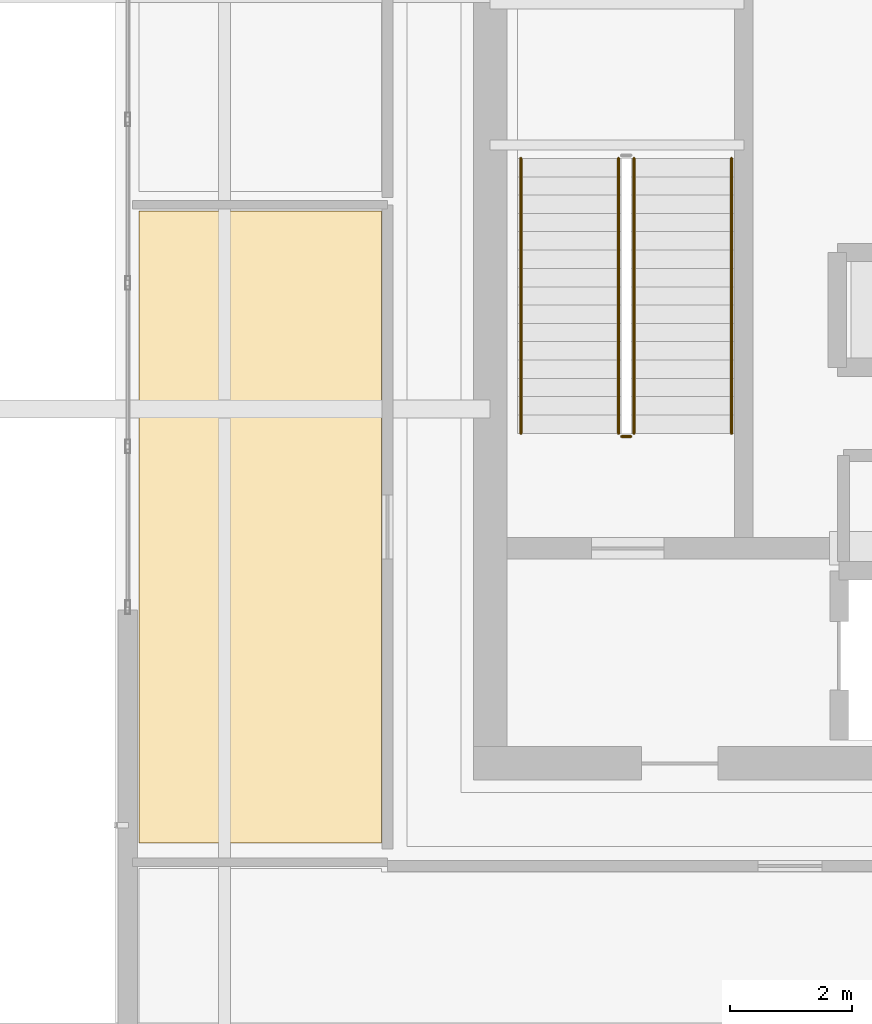
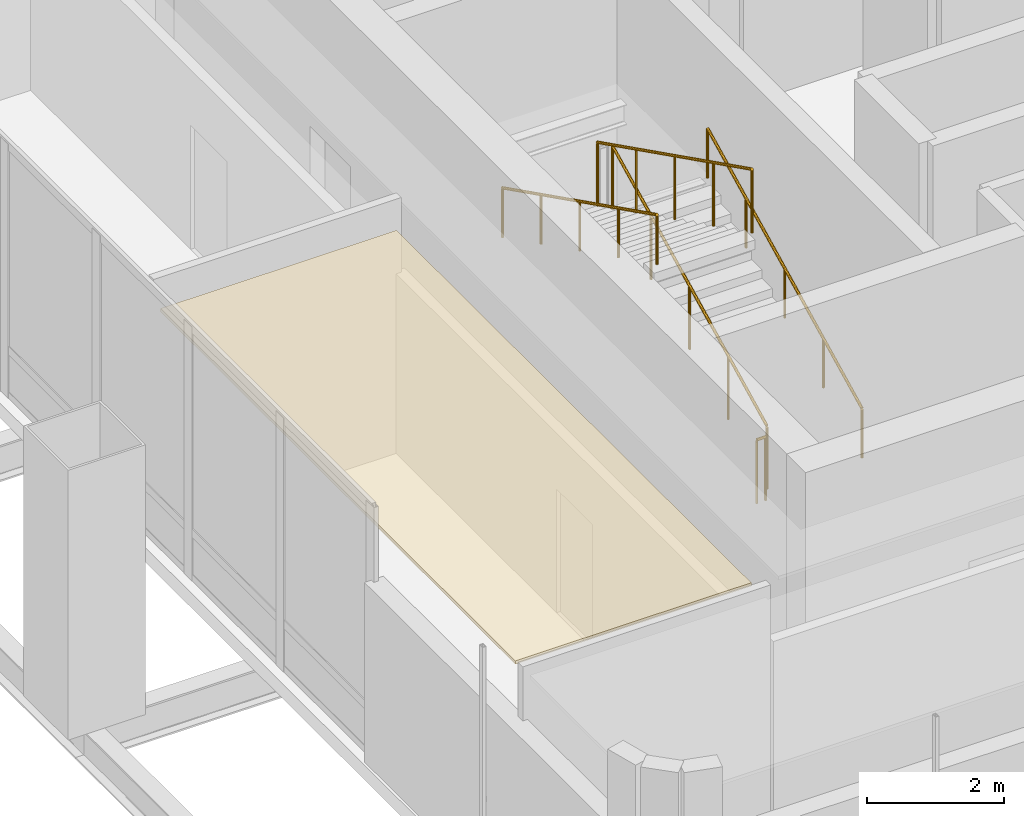
# One storey, part 24 of 33: 5 railings, 1 covering.
"""IFC4 building model written with IfcOpenShell, lengths in metres."""

from ifc_helpers import new_model, si_unit, direction, frame, origin, origin_2d, place, context, subcontext, project, spatial, polyline, circle, outline, extrude, material, layer, layer_set, type_object, element, save


model = new_model("IFC4")

# Units and contexts
model_context = context("Model", 3, precision=1e-05, world=origin(), true_north=direction((0.0, 1.0)))
body_context = subcontext(model_context, "Body", "Model", "MODEL_VIEW")
ifc_project = project(units=[si_unit("LENGTHUNIT", "METRE"), si_unit("AREAUNIT", "SQUARE_METRE"), si_unit("VOLUMEUNIT", "CUBIC_METRE"), si_unit("PLANEANGLEUNIT", "RADIAN"), si_unit("MASSUNIT", "GRAM", prefix="KILO")], contexts=[model_context])

# Site, building, storey
site_placement = place(None, origin())
site = spatial("IfcSite", under=ifc_project, at=site_placement, CompositionType="ELEMENT")
building_placement = place(site_placement, origin())
building = spatial("IfcBuilding", under=site, at=building_placement, Name="Punatoya Terracotta Tower", CompositionType="ELEMENT")
storey_placement = place(building_placement, frame((0.0, 0.0, 246.60009765625)))
storey = spatial("IfcBuildingStorey", under=building, at=storey_placement, Name="L58", CompositionType="ELEMENT", Elevation=246.60009765625)

# Covering
ifc_material_1 = material(Name="Acoustic Mineral Fibre Ceiling")
ifc_layer = layer(ifc_material_1, 0.06005859375)
ifc_layer_set = layer_set([ifc_layer], Name="Acoustic Mineral Fibre Ceiling")
covering_type = type_object("IfcCoveringType", Name="COV-CEIL-60", PredefinedType="CEILING", material=ifc_layer_set)
covering_placement = place(storey_placement, frame((0.0, 0.0, 3.929931640625)))
element("IfcCovering", 1, at=covering_placement, inside=storey, type_object=covering_type, Name="L58 Staff Wellness Studio Acoustic Ceiling", PredefinedType="CEILING", context=body_context, shape_type="SweptSolid", body=[
    extrude(outline(polyline([(-15.949951171875, -0.159912109375), (-15.949951171875, -10.5), (-11.97998046875, -10.5), (-11.97998046875, -0.159912109375), (-15.949951171875, -0.159912109375)])), origin(), (0.0, 0.0, 1.0), 0.06005859375),
])

# Railings
ifc_material_2 = material(Name="Steel S355", Category="steel")
railing_type_1 = type_object("IfcRailingType", Name="RLG-GRD-1150", PredefinedType="GUARDRAIL", material=ifc_material_2)
railing_1_placement = place(storey_placement, frame((-7.85009765625, -3.800048828125, 0.14990234375)))
element("IfcRailing", 2, at=railing_1_placement, inside=storey, type_object=railing_type_1, Name="L58 ST-1 stair guard 1", PredefinedType="GUARDRAIL", context=body_context, shape_type="SweptSolid", body=[
    extrude(circle(Radius=0.02392578125, at=origin_2d()), frame((0.0, 0.0, 1.1259765625), z_axis=(0.0, 0.894427191, 0.4472135955), x_axis=(-1.0, 0.0, 0.0)), (0.0, 0.0, 1.0), 5.03125),
    extrude(circle(Radius=0.02099609375, at=origin_2d()), origin(), (0.0, 0.0, 1.0), 1.101806640625),
    extrude(circle(Radius=0.02099609375, at=origin_2d()), frame((0.0, 1.125, 0.5625)), (0.0, 0.0, 1.0), 1.101806640625),
    extrude(circle(Radius=0.02099609375, at=origin_2d()), frame((0.0, 2.25, 1.125)), (0.0, 0.0, 1.0), 1.101806640625),
    extrude(circle(Radius=0.02099609375, at=origin_2d()), frame((0.0, 3.375, 1.6875)), (0.0, 0.0, 1.0), 1.101806640625),
    extrude(circle(Radius=0.02099609375, at=origin_2d()), frame((0.0, 4.5, 2.25)), (0.0, 0.0, 1.0), 1.101806640625),
])
railing_2_placement = place(storey_placement, frame((-8.10009765625, 0.699951171875, 2.5498046875)))
element("IfcRailing", 3, at=railing_2_placement, inside=storey, type_object=railing_type_1, Name="L58 ST-1 stair guard 3", PredefinedType="GUARDRAIL", context=body_context, shape_type="SweptSolid", body=[
    extrude(circle(Radius=0.02392578125, at=origin_2d()), frame((0.0, 0.0, 1.1259765625), z_axis=(0.0, -0.894427191, 0.4472135955), x_axis=(1.0, 0.0, 0.0)), (0.0, 0.0, 1.0), 5.03125),
    extrude(circle(Radius=0.02099609375, at=origin_2d()), origin(), (0.0, 0.0, 1.0), 1.101806640625),
    extrude(circle(Radius=0.02099609375, at=origin_2d()), frame((0.0, -1.125, 0.5625)), (0.0, 0.0, 1.0), 1.101806640625),
    extrude(circle(Radius=0.02099609375, at=origin_2d()), frame((0.0, -2.25, 1.125)), (0.0, 0.0, 1.0), 1.101806640625),
    extrude(circle(Radius=0.02099609375, at=origin_2d()), frame((0.0, -3.375, 1.6875)), (0.0, 0.0, 1.0), 1.101806640625),
    extrude(circle(Radius=0.02099609375, at=origin_2d()), frame((0.0, -4.5, 2.25)), (0.0, 0.0, 1.0), 1.101806640625),
])
railing_3_placement = place(storey_placement, frame((-7.89990234375, -3.85009765625, 0.0)))
element("IfcRailing", 4, at=railing_3_placement, inside=storey, type_object=railing_type_1, Name="L58 ST-1 stair guard 4", PredefinedType="GUARDRAIL", context=body_context, shape_type="SweptSolid", body=[
    extrude(circle(Radius=0.02392578125, at=origin_2d()), frame((0.0, 0.0, 1.1259765625), z_axis=(-1.0, 0.0, 0.0), x_axis=(0.0, -1.0, 0.0)), (0.0, 0.0, 1.0), 0.150146484375),
    extrude(circle(Radius=0.02099609375, at=origin_2d()), origin(), (0.0, 0.0, 1.0), 1.101806640625),
    extrude(circle(Radius=0.02099609375, at=origin_2d()), frame((-0.150146484375, 0.0, 0.0)), (0.0, 0.0, 1.0), 1.101806640625),
])
railing_type_2 = type_object("IfcRailingType", Name="RLG-HND-900", PredefinedType="HANDRAIL", material=ifc_material_2)
railing_4_placement = place(storey_placement, frame((-6.25, -3.800048828125, 0.14990234375)))
element("IfcRailing", 5, at=railing_4_placement, inside=storey, type_object=railing_type_2, Name="L58 ST-1 stair handrail 1", PredefinedType="HANDRAIL", context=body_context, shape_type="SweptSolid", body=[
    extrude(circle(Radius=0.02392578125, at=origin_2d()), frame((0.0, 0.0, 0.8759765625), z_axis=(0.0, 0.894427191, 0.4472135955), x_axis=(-1.0, 0.0, 0.0)), (0.0, 0.0, 1.0), 5.03125),
    extrude(circle(Radius=0.02099609375, at=origin_2d()), origin(), (0.0, 0.0, 1.0), 0.851806640625),
    extrude(circle(Radius=0.02099609375, at=origin_2d()), frame((0.0, 1.125, 0.5625)), (0.0, 0.0, 1.0), 0.851806640625),
    extrude(circle(Radius=0.02099609375, at=origin_2d()), frame((0.0, 2.25, 1.125)), (0.0, 0.0, 1.0), 0.851806640625),
    extrude(circle(Radius=0.02099609375, at=origin_2d()), frame((0.0, 3.375, 1.6875)), (0.0, 0.0, 1.0), 0.851806640625),
    extrude(circle(Radius=0.02099609375, at=origin_2d()), frame((0.0, 4.5, 2.25)), (0.0, 0.0, 1.0), 0.851806640625),
])
railing_5_placement = place(storey_placement, frame((-9.699951171875, 0.699951171875, 2.5498046875)))
element("IfcRailing", 6, at=railing_5_placement, inside=storey, type_object=railing_type_2, Name="L58 ST-1 stair handrail 2", PredefinedType="HANDRAIL", context=body_context, shape_type="SweptSolid", body=[
    extrude(circle(Radius=0.02392578125, at=origin_2d()), frame((0.0, 0.0, 0.8759765625), z_axis=(0.0, -0.894427191, 0.4472135955), x_axis=(1.0, 0.0, 0.0)), (0.0, 0.0, 1.0), 5.03125),
    extrude(circle(Radius=0.02099609375, at=origin_2d()), origin(), (0.0, 0.0, 1.0), 0.851806640625),
    extrude(circle(Radius=0.02099609375, at=origin_2d()), frame((0.0, -1.125, 0.5625)), (0.0, 0.0, 1.0), 0.851806640625),
    extrude(circle(Radius=0.02099609375, at=origin_2d()), frame((0.0, -2.25, 1.125)), (0.0, 0.0, 1.0), 0.851806640625),
    extrude(circle(Radius=0.02099609375, at=origin_2d()), frame((0.0, -3.375, 1.6875)), (0.0, 0.0, 1.0), 0.851806640625),
    extrude(circle(Radius=0.02099609375, at=origin_2d()), frame((0.0, -4.5, 2.25)), (0.0, 0.0, 1.0), 0.851806640625),
])

save(model, "model.ifc")
